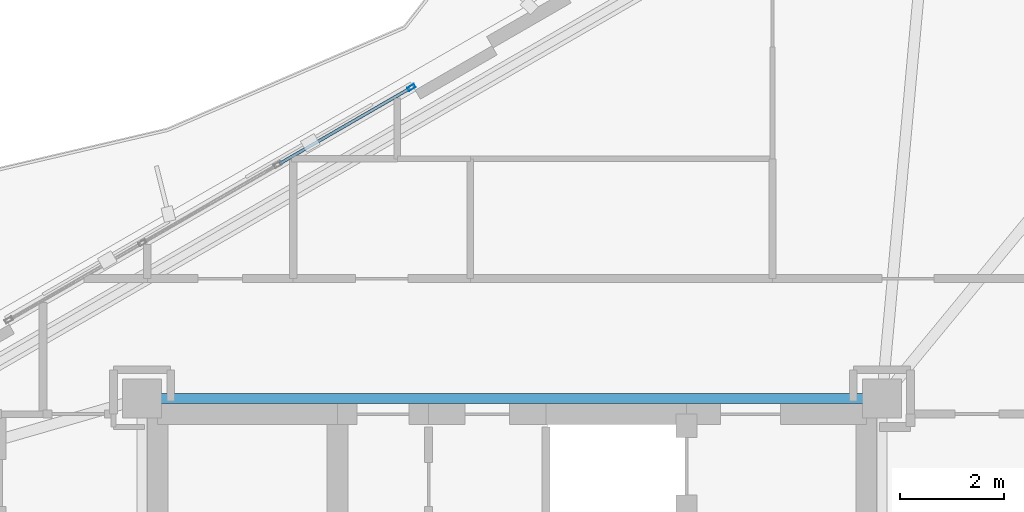
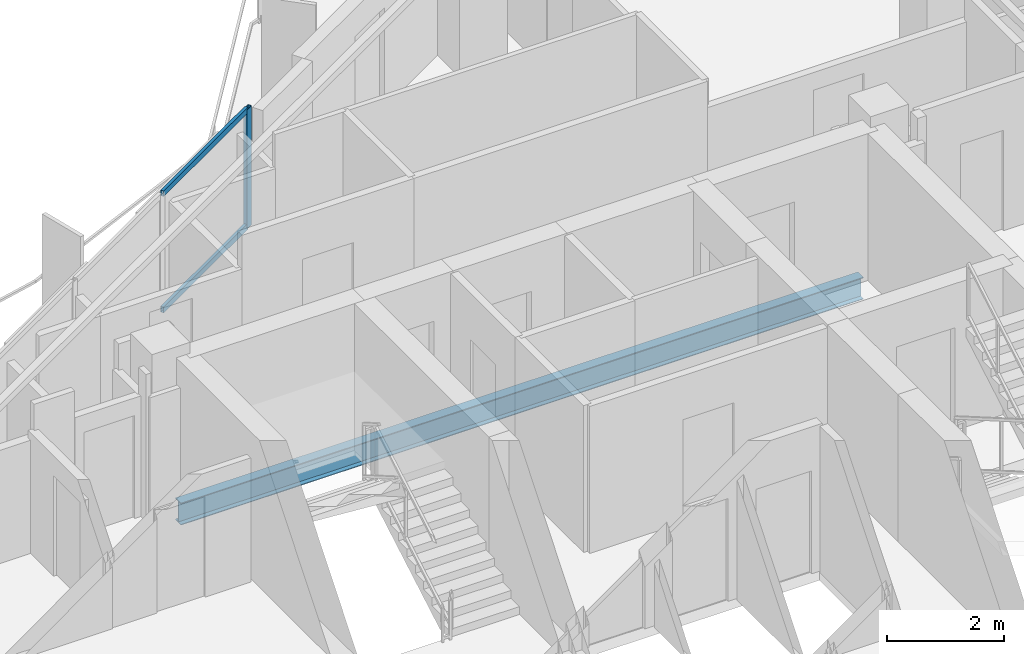
# One storey, part 14 of 22: 3 members, 1 beam, 1 element without a shape of its own.
"""IFC4 building model written with IfcOpenShell, lengths in metres."""

from ifc_helpers import new_model, si_unit, direction, frame, origin, origin_2d, place, context, subcontext, project, spatial, hollow_rectangle, i_section, extrude, material, layer, layer_set, material_profile, profile_set, type_object, element, aggregate, save


model = new_model("IFC4")

# Units and contexts
model_context = context("Model", 3, precision=1e-05, world=origin(), true_north=direction((0.0, 1.0)))
body_context = subcontext(model_context, "Body", "Model", "MODEL_VIEW")
ifc_project = project(units=[si_unit("LENGTHUNIT", "METRE"), si_unit("AREAUNIT", "SQUARE_METRE"), si_unit("VOLUMEUNIT", "CUBIC_METRE"), si_unit("PLANEANGLEUNIT", "RADIAN"), si_unit("MASSUNIT", "GRAM", prefix="KILO")], contexts=[model_context])

# Site, building, storey
site_placement = place(None, origin())
site = spatial("IfcSite", under=ifc_project, at=site_placement, CompositionType="ELEMENT")
building_placement = place(site_placement, origin())
building = spatial("IfcBuilding", under=site, at=building_placement, Name="Mersakhor Tower and Convention Hall", CompositionType="ELEMENT")
storey_placement = place(building_placement, frame((0.0, 0.0, 192.0)))
storey = spatial("IfcBuildingStorey", under=building, at=storey_placement, Name="L53", CompositionType="ELEMENT", Elevation=192.0)

# Beam
ifc_material_1 = material(Name="Steel S355", Category="steel")
ifc_material_profile_1 = material_profile(ifc_material_1, i_section(OverallWidth=0.19140625, OverallDepth=0.4599609375, WebThickness=0.010009765625, FlangeThickness=0.01611328125, at=origin_2d()), Name="UB 457x191x82")
ifc_profile_set_1 = profile_set([ifc_material_profile_1], Name="Steel S355")
beam_type = type_object("IfcBeamType", Name="BM-FB-457", PredefinedType="BEAM", material=ifc_profile_set_1)
beam_placement = place(storey_placement, frame((22.2548828125, 33.050048828125, -0.4599609375), z_axis=(1.0, 0.0, 0.0), x_axis=(0.0, 1.0, 0.0)))
element("IfcBeam", 1, at=beam_placement, inside=storey, type_object=beam_type, Name="L53 Core Ring Tie Beam CRB-2", PredefinedType="BEAM", context=body_context, shape_type="SweptSolid", body=[
    extrude(i_section(OverallWidth=0.19140625, OverallDepth=0.4599609375, WebThickness=0.010009765625, FlangeThickness=0.01611328125, at=origin_2d()), origin(), (0.0, 0.0, 1.0), 13.490234375),
])

# Curtain wall, members
ifc_material_2 = material(Name="Dark solar low-E aluminium curtain wall", Category="aluminium")
ifc_layer = layer(ifc_material_2, 0.169921875)
ifc_layer_set = layer_set([ifc_layer], Name="Dark solar low-E aluminium curtain wall")
curtain_wall_type = type_object("IfcCurtainWallType", Name="CW-SYS-02", PredefinedType="USERDEFINED", material=ifc_layer_set)
curtain_wall_placement = place(storey_placement, origin())
curtain_wall = element("IfcCurtainWall", 2, at=curtain_wall_placement, inside=storey, type_object=curtain_wall_type, Name="L53 Dark-Glass Curtain Wall F1-B2", ObjectType="CURTAIN WALL", PredefinedType="USERDEFINED")
ifc_material_3 = material(Name="Anodised aluminium EN AW-6063 T6", Category="aluminium")
ifc_material_profile_2 = material_profile(ifc_material_3, hollow_rectangle(XDim=0.074951171875, YDim=0.14990234375, WallThickness=0.00634765625, at=origin_2d()), Name="RHS 150x75x6.3")
ifc_profile_set_2 = profile_set([ifc_material_profile_2], Name="Anodised aluminium EN AW-6063 T6")
member_type_1 = type_object("IfcMemberType", Name="CWM-150x75", PredefinedType="MULLION", material=ifc_profile_set_2)
member_1_placement = place(storey_placement, frame((27.06982421875, 39.016845703125, 0.199951171875), z_axis=(0.0, 0.0, 1.0), x_axis=(-0.500007824483, 0.86602088627, 0.0)))
member_1 = element("IfcMember", 3, at=member_1_placement, type_object=member_type_1, Name="CW-02 mullion 4", PredefinedType="MULLION", context=body_context, shape_type="SweptSolid", body=[
    extrude(hollow_rectangle(XDim=0.074951171875, YDim=0.14990234375, WallThickness=0.00634765625, at=origin_2d()), origin(), (0.0, 0.0, 1.0), 2.489990234375),
])
ifc_material_4 = material(Name="Anodised aluminium EN AW-6063 T6", Category="aluminium")
ifc_material_profile_3 = material_profile(ifc_material_4, hollow_rectangle(XDim=0.06005859375, YDim=0.1201171875, WallThickness=0.0048828125, at=origin_2d()), Name="RHS 120x60x5")
ifc_profile_set_3 = profile_set([ifc_material_profile_3], Name="Anodised aluminium EN AW-6063 T6")
member_type_2 = type_object("IfcMemberType", Name="CWT-120x60", PredefinedType="USERDEFINED", material=ifc_profile_set_3)
member_2_placement = place(storey_placement, frame((24.537109375, 37.554443359375, 0.22998046875), z_axis=(0.86601237176, 0.50002257145, 0.0), x_axis=(-0.50002257145, 0.86601237176, 0.0)))
member_2 = element("IfcMember", 4, at=member_2_placement, type_object=member_type_2, Name="CW-02 transom 3.1", ObjectType="TRANSOM", PredefinedType="USERDEFINED", context=body_context, shape_type="SweptSolid", body=[
    extrude(hollow_rectangle(XDim=0.06005859375, YDim=0.1201171875, WallThickness=0.0048828125, at=origin_2d()), origin(), (0.0, 0.0, 1.0), 2.886962890625),
])
member_3_placement = place(storey_placement, frame((24.537109375, 37.554443359375, 2.659912109375), z_axis=(0.86601237176, 0.50002257145, 0.0), x_axis=(-0.50002257145, 0.86601237176, 0.0)))
member_3 = element("IfcMember", 5, at=member_3_placement, type_object=member_type_2, Name="CW-02 transom 3.2", ObjectType="TRANSOM", PredefinedType="USERDEFINED", context=body_context, shape_type="SweptSolid", body=[
    extrude(hollow_rectangle(XDim=0.06005859375, YDim=0.1201171875, WallThickness=0.0048828125, at=origin_2d()), origin(), (0.0, 0.0, 1.0), 2.886962890625),
])
aggregate(curtain_wall, [member_1, member_2, member_3])

save(model, "model.ifc")
